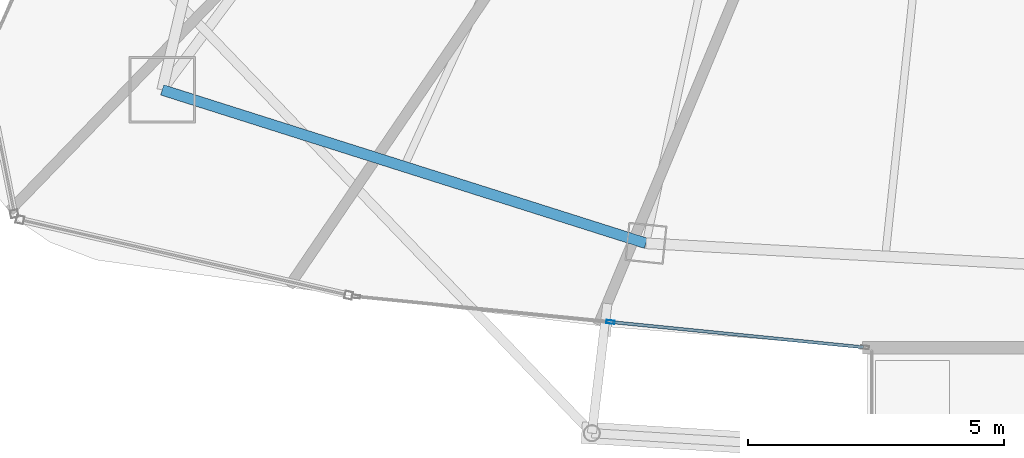
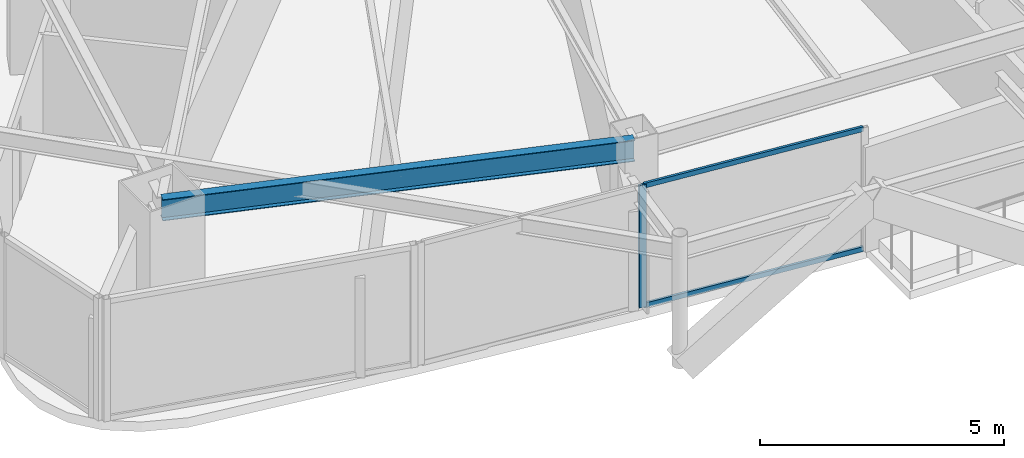
# One storey, part 4 of 30: 3 members, 1 beam, 1 element without a shape of its own.
"""IFC4 building model written with IfcOpenShell, lengths in metres."""

from ifc_helpers import new_model, si_unit, direction, frame, origin, origin_2d, place, context, subcontext, project, spatial, hollow_rectangle, i_section, extrude, material, layer, layer_set, material_profile, profile_set, type_object, element, aggregate, save


model = new_model("IFC4")

# Units and contexts
model_context = context("Model", 3, precision=1e-05, world=origin(), true_north=direction((0.0, 1.0)))
body_context = subcontext(model_context, "Body", "Model", "MODEL_VIEW")
ifc_project = project(units=[si_unit("LENGTHUNIT", "METRE"), si_unit("AREAUNIT", "SQUARE_METRE"), si_unit("VOLUMEUNIT", "CUBIC_METRE"), si_unit("PLANEANGLEUNIT", "RADIAN"), si_unit("MASSUNIT", "GRAM", prefix="KILO")], contexts=[model_context])

# Site, building, storey
site_placement = place(None, origin())
site = spatial("IfcSite", under=ifc_project, at=site_placement, CompositionType="ELEMENT")
building_placement = place(site_placement, origin())
building = spatial("IfcBuilding", under=site, at=building_placement, Name="Orvanel Arch Residences", CompositionType="ELEMENT")
storey_placement = place(building_placement, frame((0.0, 0.0, 240.35009765625)))
storey = spatial("IfcBuildingStorey", under=building, at=storey_placement, Name="L68", CompositionType="ELEMENT", Elevation=240.35009765625)

# Curtain wall, member
ifc_material_1 = material(Name="Bronze-anodised aluminium AA6063-T6", Category="aluminium")
ifc_layer = layer(ifc_material_1, 0.175048828125)
ifc_layer_set = layer_set([ifc_layer], Name="Bronze-anodised aluminium AA6063-T6")
curtain_wall_type = type_object("IfcCurtainWallType", Name="CW4-HI-SYS", PredefinedType="NOTDEFINED", material=ifc_layer_set)
curtain_wall_placement = place(storey_placement, origin())
curtain_wall = element("IfcCurtainWall", 1, at=curtain_wall_placement, inside=storey, type_object=curtain_wall_type, Name="L68 CW4-HI-SYS Unitised Curtain Wall", PredefinedType="NOTDEFINED")
ifc_material_profile_1 = material_profile(ifc_material_1, hollow_rectangle(XDim=0.06494140625, YDim=0.159912109375, WallThickness=0.00390625, at=origin_2d()), Name="ALU160x65x4")
ifc_profile_set_1 = profile_set([ifc_material_profile_1], Name="Bronze-anodised aluminium AA6063-T6")
member_type_1 = type_object("IfcMemberType", Name="MUL-160x65", PredefinedType="MULLION", material=ifc_profile_set_1)
member_1_placement = place(storey_placement, frame((22.95556640625, 5.8173828125, 0.0), z_axis=(0.0, 0.0, 1.0), x_axis=(0.099356011792, 0.99505194986, 0.0)))
member_1 = element("IfcMember", 2, at=member_1_placement, type_object=member_type_1, Name="CW-S4 mullion 2", PredefinedType="MULLION", context=body_context, shape_type="SweptSolid", body=[
    extrude(hollow_rectangle(XDim=0.06494140625, YDim=0.159912109375, WallThickness=0.00390625, at=origin_2d()), origin(), (0.0, 0.0, 1.0), 3.059814453125),
])

# Beam
ifc_material_2 = material(Name="Structural steel AS/NZS 3679.1 Grade 300 (300 MPa)", Category="steel")
ifc_material_profile_2 = material_profile(ifc_material_2, i_section(OverallWidth=0.208984375, OverallDepth=0.532958984375, WebThickness=0.01025390625, FlangeThickness=0.015625, at=origin_2d()), Name="530UB92.4")
ifc_profile_set_2 = profile_set([ifc_material_profile_2], Name="Structural steel AS/NZS 3679.1 Grade 300 (300 MPa)")
beam_type = type_object("IfcBeamType", Name="SP-530UB", PredefinedType="SPANDREL", material=ifc_profile_set_2)
beam_placement = place(storey_placement, frame((14.198974609375, 10.35107421875, 2.79296875), z_axis=(0.953237386592, -0.302222574941, 0.0), x_axis=(0.302222574941, 0.953237386592, 0.0)))
element("IfcBeam", 3, at=beam_placement, inside=storey, type_object=beam_type, Name="L68 Perimeter Spandrel Beam 02", PredefinedType="SPANDREL", context=body_context, shape_type="SweptSolid", body=[
    extrude(i_section(OverallWidth=0.208984375, OverallDepth=0.532958984375, WebThickness=0.01025390625, FlangeThickness=0.015625, at=origin_2d()), origin(), (0.0, 0.0, 1.0), 9.91357421875),
])

# Member
ifc_material_profile_3 = material_profile(ifc_material_1, hollow_rectangle(XDim=0.06005859375, YDim=0.1201171875, WallThickness=0.00341796875, at=origin_2d()), Name="ALU120x60x3.5")
ifc_profile_set_3 = profile_set([ifc_material_profile_3], Name="Bronze-anodised aluminium AA6063-T6")
member_type_2 = type_object("IfcMemberType", Name="TRN-120x60", PredefinedType="USERDEFINED", material=ifc_profile_set_3)
member_2_placement = place(storey_placement, frame((22.98779296875, 5.814208984375, 0.02978515625), z_axis=(0.995053357637, -0.099341911881, 0.0), x_axis=(0.099341911881, 0.995053357637, 0.0)))
member_2 = element("IfcMember", 4, at=member_2_placement, type_object=member_type_2, Name="CW-S4 transom 2.1", ObjectType="TRANSOM", PredefinedType="USERDEFINED", context=body_context, shape_type="SweptSolid", body=[
    extrude(hollow_rectangle(XDim=0.06005859375, YDim=0.1201171875, WallThickness=0.00341796875, at=origin_2d()), origin(), (0.0, 0.0, 1.0), 4.929931640625),
])

member_3_placement = place(storey_placement, frame((22.98779296875, 5.814208984375, 3.02978515625), z_axis=(0.995053357637, -0.099341911881, 0.0), x_axis=(0.099341911881, 0.995053357637, 0.0)))
member_3 = element("IfcMember", 5, at=member_3_placement, type_object=member_type_2, Name="CW-S4 transom 2.2", ObjectType="TRANSOM", PredefinedType="USERDEFINED", context=body_context, shape_type="SweptSolid", body=[
    extrude(hollow_rectangle(XDim=0.06005859375, YDim=0.1201171875, WallThickness=0.00341796875, at=origin_2d()), origin(), (0.0, 0.0, 1.0), 4.929931640625),
])

aggregate(curtain_wall, [member_1, member_2, member_3])

save(model, "model.ifc")
